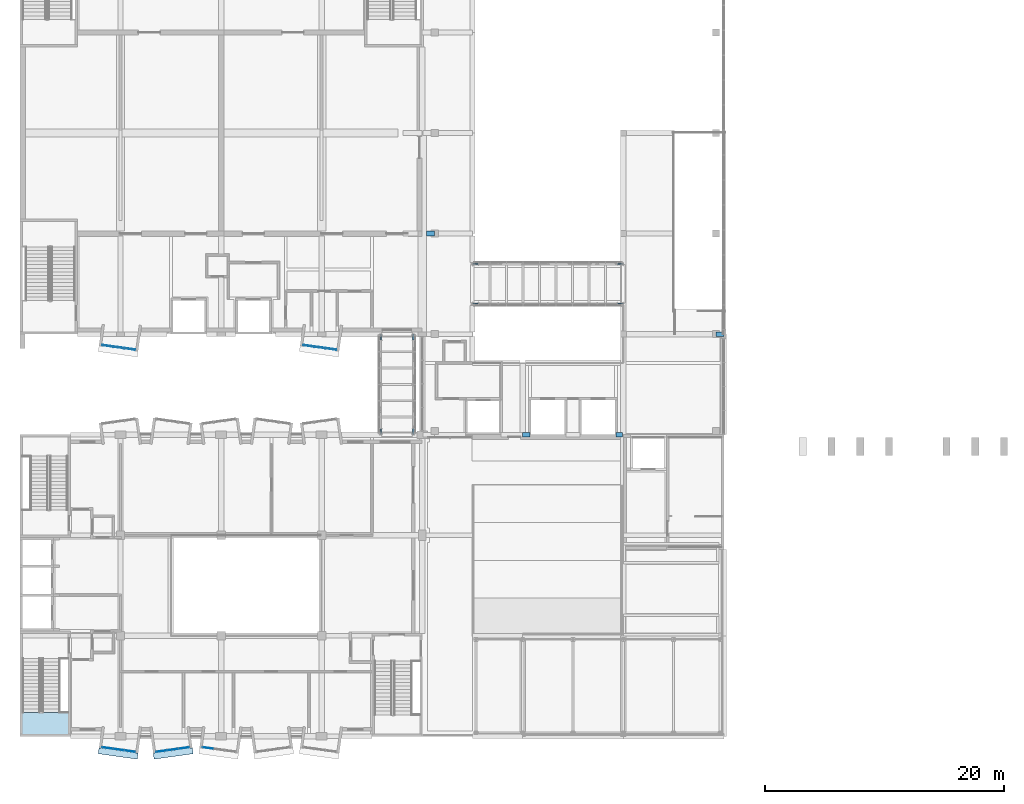
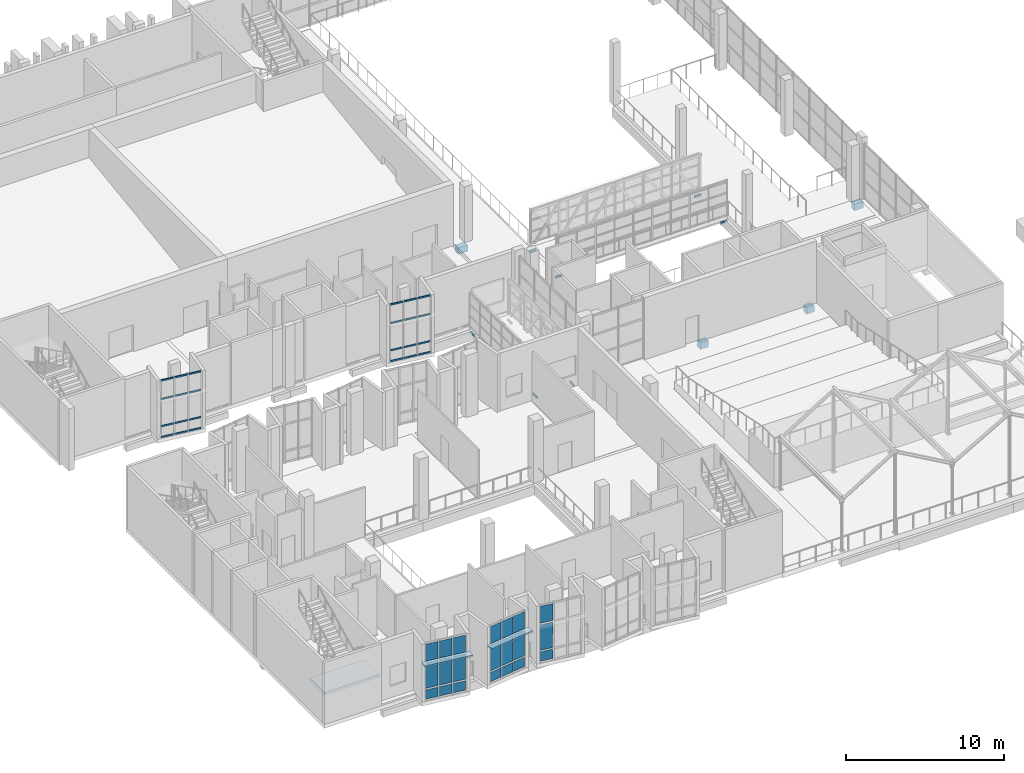
# One storey, part 29 of 67: 24 members, 23 plates, 12 beams, 1 slab, 6 elements without a shape of their own.
"""IFC4 building model written with IfcOpenShell, lengths in metres."""

from ifc_helpers import new_model, si_unit, direction, frame, origin, origin_2d, place, context, subcontext, project, spatial, polyline, rectangle, hollow_rectangle, outline, extrude, material, layer, layer_set, material_profile, profile_set, type_object, element, aggregate, save


model = new_model("IFC4")

# Units and contexts
model_context = context("Model", 3, precision=1e-05, world=origin(), true_north=direction((0.0, 1.0)))
body_context = subcontext(model_context, "Body", "Model", "MODEL_VIEW")
ifc_project = project(units=[si_unit("LENGTHUNIT", "METRE"), si_unit("AREAUNIT", "SQUARE_METRE"), si_unit("VOLUMEUNIT", "CUBIC_METRE"), si_unit("PLANEANGLEUNIT", "RADIAN"), si_unit("MASSUNIT", "GRAM", prefix="KILO")], contexts=[model_context])

# Site, building, storey
site_placement = place(None, origin())
site = spatial("IfcSite", under=ifc_project, at=site_placement, CompositionType="ELEMENT")
building_placement = place(site_placement, origin())
building = spatial("IfcBuilding", under=site, at=building_placement, Name="Kiln Court Media Centre", CompositionType="ELEMENT")
storey_placement = place(building_placement, frame((0.0, 0.0, 19.800048828125)))
storey = spatial("IfcBuildingStorey", under=building, at=storey_placement, Name="L04", CompositionType="ELEMENT", Elevation=19.800048828125)

# Curtain wall, members
ifc_material_1 = material(Name="Aluminium 6063-T6", Category="aluminium")
ifc_layer_1 = layer(ifc_material_1, 0.1201171875)
ifc_layer_set_1 = layer_set([ifc_layer_1], Name="Aluminium unitised bay curtain wall")
curtain_wall_type = type_object("IfcCurtainWallType", Name="Aluminium unitised bay curtain wall", PredefinedType="USERDEFINED", material=ifc_layer_set_1)
curtain_wall_1_placement = place(storey_placement, origin())
curtain_wall_1 = element("IfcCurtainWall", 1, at=curtain_wall_1_placement, inside=storey, type_object=curtain_wall_type, Name="BAY V4-S-L04-24 front", ObjectType="UNITISED CURTAIN WALL", PredefinedType="USERDEFINED")
ifc_material_2 = material(Name="Aluminium 6063-T6", Category="aluminium")
ifc_material_profile_1 = material_profile(ifc_material_2, rectangle(XDim=0.06005859375, YDim=0.1201171875, at=origin_2d()), Name="Aluminium transom 60x120")
ifc_profile_set_1 = profile_set([ifc_material_profile_1], Name="Aluminium 6063-T6")
member_type = type_object("IfcMemberType", Name="Aluminium transom 60x120", PredefinedType="USERDEFINED", material=ifc_profile_set_1)
member_1_placement = place(storey_placement, frame((6.882568359375, 32.68212890625, 0.06005859375), z_axis=(0.990268108888, -0.139172815303, 0.0), x_axis=(0.139172815303, 0.990268108888, 0.0)))
member_1 = element("IfcMember", 2, at=member_1_placement, type_object=member_type, Name="CW4-01 transom 1.1", ObjectType="TRANSOM", PredefinedType="USERDEFINED", context=body_context, shape_type="SweptSolid", body=[
    extrude(rectangle(XDim=0.06005859375, YDim=0.1201171875, at=origin_2d()), origin(), (0.0, 0.0, 1.0), 0.86669921875),
])
member_2_placement = place(storey_placement, frame((6.882568359375, 32.68212890625, 0.89990234375), z_axis=(0.990268108888, -0.139172815303, 0.0), x_axis=(0.139172815303, 0.990268108888, 0.0)))
member_2 = element("IfcMember", 3, at=member_2_placement, type_object=member_type, Name="CW4-01 transom 1.2", ObjectType="TRANSOM", PredefinedType="USERDEFINED", context=body_context, shape_type="SweptSolid", body=[
    extrude(rectangle(XDim=0.06005859375, YDim=0.1201171875, at=origin_2d()), origin(), (0.0, 0.0, 1.0), 0.86669921875),
])
member_3_placement = place(storey_placement, frame((6.882568359375, 32.68212890625, 3.0), z_axis=(0.990268108888, -0.139172815303, 0.0), x_axis=(0.139172815303, 0.990268108888, 0.0)))
member_3 = element("IfcMember", 4, at=member_3_placement, type_object=member_type, Name="CW4-01 transom 1.3", ObjectType="TRANSOM", PredefinedType="USERDEFINED", context=body_context, shape_type="SweptSolid", body=[
    extrude(rectangle(XDim=0.06005859375, YDim=0.1201171875, at=origin_2d()), origin(), (0.0, 0.0, 1.0), 0.86669921875),
])
member_4_placement = place(storey_placement, frame((6.882568359375, 32.68212890625, 4.43994140625), z_axis=(0.990268108888, -0.139172815303, 0.0), x_axis=(0.139172815303, 0.990268108888, 0.0)))
member_4 = element("IfcMember", 5, at=member_4_placement, type_object=member_type, Name="CW4-01 transom 1.4", ObjectType="TRANSOM", PredefinedType="USERDEFINED", context=body_context, shape_type="SweptSolid", body=[
    extrude(rectangle(XDim=0.06005859375, YDim=0.1201171875, at=origin_2d()), origin(), (0.0, 0.0, 1.0), 0.86669921875),
])
member_5_placement = place(storey_placement, frame((7.80029296875, 32.55322265625, 0.06005859375), z_axis=(0.990273584723, -0.13913384707, 0.0), x_axis=(0.13913384707, 0.990273584723, 0.0)))
member_5 = element("IfcMember", 6, at=member_5_placement, type_object=member_type, Name="CW4-01 transom 2.1", ObjectType="TRANSOM", PredefinedType="USERDEFINED", context=body_context, shape_type="SweptSolid", body=[
    extrude(rectangle(XDim=0.06005859375, YDim=0.1201171875, at=origin_2d()), origin(), (0.0, 0.0, 1.0), 0.896728515625),
])
member_6_placement = place(storey_placement, frame((7.80029296875, 32.55322265625, 0.89990234375), z_axis=(0.990273584723, -0.13913384707, 0.0), x_axis=(0.13913384707, 0.990273584723, 0.0)))
member_6 = element("IfcMember", 7, at=member_6_placement, type_object=member_type, Name="CW4-01 transom 2.2", ObjectType="TRANSOM", PredefinedType="USERDEFINED", context=body_context, shape_type="SweptSolid", body=[
    extrude(rectangle(XDim=0.06005859375, YDim=0.1201171875, at=origin_2d()), origin(), (0.0, 0.0, 1.0), 0.896728515625),
])
member_7_placement = place(storey_placement, frame((7.80029296875, 32.55322265625, 3.0), z_axis=(0.990273584723, -0.13913384707, 0.0), x_axis=(0.13913384707, 0.990273584723, 0.0)))
member_7 = element("IfcMember", 8, at=member_7_placement, type_object=member_type, Name="CW4-01 transom 2.3", ObjectType="TRANSOM", PredefinedType="USERDEFINED", context=body_context, shape_type="SweptSolid", body=[
    extrude(rectangle(XDim=0.06005859375, YDim=0.1201171875, at=origin_2d()), origin(), (0.0, 0.0, 1.0), 0.896728515625),
])
member_8_placement = place(storey_placement, frame((7.80029296875, 32.55322265625, 4.43994140625), z_axis=(0.990273584723, -0.13913384707, 0.0), x_axis=(0.13913384707, 0.990273584723, 0.0)))
member_8 = element("IfcMember", 9, at=member_8_placement, type_object=member_type, Name="CW4-01 transom 2.4", ObjectType="TRANSOM", PredefinedType="USERDEFINED", context=body_context, shape_type="SweptSolid", body=[
    extrude(rectangle(XDim=0.06005859375, YDim=0.1201171875, at=origin_2d()), origin(), (0.0, 0.0, 1.0), 0.896728515625),
])
member_9_placement = place(storey_placement, frame((8.74755859375, 32.420166015625, 0.06005859375), z_axis=(0.990268108888, -0.139172815303, 0.0), x_axis=(0.139172815303, 0.990268108888, 0.0)))
member_9 = element("IfcMember", 10, at=member_9_placement, type_object=member_type, Name="CW4-01 transom 3.1", ObjectType="TRANSOM", PredefinedType="USERDEFINED", context=body_context, shape_type="SweptSolid", body=[
    extrude(rectangle(XDim=0.06005859375, YDim=0.1201171875, at=origin_2d()), origin(), (0.0, 0.0, 1.0), 0.86669921875),
])
member_10_placement = place(storey_placement, frame((8.74755859375, 32.420166015625, 0.89990234375), z_axis=(0.990268108888, -0.139172815303, 0.0), x_axis=(0.139172815303, 0.990268108888, 0.0)))
member_10 = element("IfcMember", 11, at=member_10_placement, type_object=member_type, Name="CW4-01 transom 3.2", ObjectType="TRANSOM", PredefinedType="USERDEFINED", context=body_context, shape_type="SweptSolid", body=[
    extrude(rectangle(XDim=0.06005859375, YDim=0.1201171875, at=origin_2d()), origin(), (0.0, 0.0, 1.0), 0.86669921875),
])
member_11_placement = place(storey_placement, frame((8.74755859375, 32.420166015625, 3.0), z_axis=(0.990268108888, -0.139172815303, 0.0), x_axis=(0.139172815303, 0.990268108888, 0.0)))
member_11 = element("IfcMember", 12, at=member_11_placement, type_object=member_type, Name="CW4-01 transom 3.3", ObjectType="TRANSOM", PredefinedType="USERDEFINED", context=body_context, shape_type="SweptSolid", body=[
    extrude(rectangle(XDim=0.06005859375, YDim=0.1201171875, at=origin_2d()), origin(), (0.0, 0.0, 1.0), 0.86669921875),
])
member_12_placement = place(storey_placement, frame((8.74755859375, 32.420166015625, 4.43994140625), z_axis=(0.990268108888, -0.139172815303, 0.0), x_axis=(0.139172815303, 0.990268108888, 0.0)))
member_12 = element("IfcMember", 13, at=member_12_placement, type_object=member_type, Name="CW4-01 transom 3.4", ObjectType="TRANSOM", PredefinedType="USERDEFINED", context=body_context, shape_type="SweptSolid", body=[
    extrude(rectangle(XDim=0.06005859375, YDim=0.1201171875, at=origin_2d()), origin(), (0.0, 0.0, 1.0), 0.86669921875),
])
aggregate(curtain_wall_1, [member_1, member_2, member_3, member_4, member_5, member_6, member_7, member_8, member_9, member_10, member_11, member_12])

curtain_wall_2_placement = place(storey_placement, origin())
curtain_wall_2 = element("IfcCurtainWall", 14, at=curtain_wall_2_placement, inside=storey, type_object=curtain_wall_type, Name="BAY V4-S-L04-28 front", ObjectType="UNITISED CURTAIN WALL", PredefinedType="USERDEFINED")
member_13_placement = place(storey_placement, frame((23.6826171875, 32.68212890625, 0.06005859375), z_axis=(0.990268108888, -0.139172815303, 0.0), x_axis=(0.139172815303, 0.990268108888, 0.0)))
member_13 = element("IfcMember", 15, at=member_13_placement, type_object=member_type, Name="CW4-02 transom 1.1", ObjectType="TRANSOM", PredefinedType="USERDEFINED", context=body_context, shape_type="SweptSolid", body=[
    extrude(rectangle(XDim=0.06005859375, YDim=0.1201171875, at=origin_2d()), origin(), (0.0, 0.0, 1.0), 0.86669921875),
])
member_14_placement = place(storey_placement, frame((23.6826171875, 32.68212890625, 0.89990234375), z_axis=(0.990268108888, -0.139172815303, 0.0), x_axis=(0.139172815303, 0.990268108888, 0.0)))
member_14 = element("IfcMember", 16, at=member_14_placement, type_object=member_type, Name="CW4-02 transom 1.2", ObjectType="TRANSOM", PredefinedType="USERDEFINED", context=body_context, shape_type="SweptSolid", body=[
    extrude(rectangle(XDim=0.06005859375, YDim=0.1201171875, at=origin_2d()), origin(), (0.0, 0.0, 1.0), 0.86669921875),
])
member_15_placement = place(storey_placement, frame((23.6826171875, 32.68212890625, 3.0), z_axis=(0.990268108888, -0.139172815303, 0.0), x_axis=(0.139172815303, 0.990268108888, 0.0)))
member_15 = element("IfcMember", 17, at=member_15_placement, type_object=member_type, Name="CW4-02 transom 1.3", ObjectType="TRANSOM", PredefinedType="USERDEFINED", context=body_context, shape_type="SweptSolid", body=[
    extrude(rectangle(XDim=0.06005859375, YDim=0.1201171875, at=origin_2d()), origin(), (0.0, 0.0, 1.0), 0.86669921875),
])
member_16_placement = place(storey_placement, frame((23.6826171875, 32.68212890625, 4.43994140625), z_axis=(0.990268108888, -0.139172815303, 0.0), x_axis=(0.139172815303, 0.990268108888, 0.0)))
member_16 = element("IfcMember", 18, at=member_16_placement, type_object=member_type, Name="CW4-02 transom 1.4", ObjectType="TRANSOM", PredefinedType="USERDEFINED", context=body_context, shape_type="SweptSolid", body=[
    extrude(rectangle(XDim=0.06005859375, YDim=0.1201171875, at=origin_2d()), origin(), (0.0, 0.0, 1.0), 0.86669921875),
])
member_17_placement = place(storey_placement, frame((24.60009765625, 32.55322265625, 0.06005859375), z_axis=(0.990273584723, -0.13913384707, 0.0), x_axis=(0.13913384707, 0.990273584723, 0.0)))
member_17 = element("IfcMember", 19, at=member_17_placement, type_object=member_type, Name="CW4-02 transom 2.1", ObjectType="TRANSOM", PredefinedType="USERDEFINED", context=body_context, shape_type="SweptSolid", body=[
    extrude(rectangle(XDim=0.06005859375, YDim=0.1201171875, at=origin_2d()), origin(), (0.0, 0.0, 1.0), 0.896728515625),
])
member_18_placement = place(storey_placement, frame((24.60009765625, 32.55322265625, 0.89990234375), z_axis=(0.990273584723, -0.13913384707, 0.0), x_axis=(0.13913384707, 0.990273584723, 0.0)))
member_18 = element("IfcMember", 20, at=member_18_placement, type_object=member_type, Name="CW4-02 transom 2.2", ObjectType="TRANSOM", PredefinedType="USERDEFINED", context=body_context, shape_type="SweptSolid", body=[
    extrude(rectangle(XDim=0.06005859375, YDim=0.1201171875, at=origin_2d()), origin(), (0.0, 0.0, 1.0), 0.896728515625),
])
member_19_placement = place(storey_placement, frame((24.60009765625, 32.55322265625, 3.0), z_axis=(0.990273584723, -0.13913384707, 0.0), x_axis=(0.13913384707, 0.990273584723, 0.0)))
member_19 = element("IfcMember", 21, at=member_19_placement, type_object=member_type, Name="CW4-02 transom 2.3", ObjectType="TRANSOM", PredefinedType="USERDEFINED", context=body_context, shape_type="SweptSolid", body=[
    extrude(rectangle(XDim=0.06005859375, YDim=0.1201171875, at=origin_2d()), origin(), (0.0, 0.0, 1.0), 0.896728515625),
])
member_20_placement = place(storey_placement, frame((24.60009765625, 32.55322265625, 4.43994140625), z_axis=(0.990273584723, -0.13913384707, 0.0), x_axis=(0.13913384707, 0.990273584723, 0.0)))
member_20 = element("IfcMember", 22, at=member_20_placement, type_object=member_type, Name="CW4-02 transom 2.4", ObjectType="TRANSOM", PredefinedType="USERDEFINED", context=body_context, shape_type="SweptSolid", body=[
    extrude(rectangle(XDim=0.06005859375, YDim=0.1201171875, at=origin_2d()), origin(), (0.0, 0.0, 1.0), 0.896728515625),
])
member_21_placement = place(storey_placement, frame((25.547607421875, 32.420166015625, 0.06005859375), z_axis=(0.990268108888, -0.139172815303, 0.0), x_axis=(0.139172815303, 0.990268108888, 0.0)))
member_21 = element("IfcMember", 23, at=member_21_placement, type_object=member_type, Name="CW4-02 transom 3.1", ObjectType="TRANSOM", PredefinedType="USERDEFINED", context=body_context, shape_type="SweptSolid", body=[
    extrude(rectangle(XDim=0.06005859375, YDim=0.1201171875, at=origin_2d()), origin(), (0.0, 0.0, 1.0), 0.86669921875),
])
member_22_placement = place(storey_placement, frame((25.547607421875, 32.420166015625, 0.89990234375), z_axis=(0.990268108888, -0.139172815303, 0.0), x_axis=(0.139172815303, 0.990268108888, 0.0)))
member_22 = element("IfcMember", 24, at=member_22_placement, type_object=member_type, Name="CW4-02 transom 3.2", ObjectType="TRANSOM", PredefinedType="USERDEFINED", context=body_context, shape_type="SweptSolid", body=[
    extrude(rectangle(XDim=0.06005859375, YDim=0.1201171875, at=origin_2d()), origin(), (0.0, 0.0, 1.0), 0.86669921875),
])
member_23_placement = place(storey_placement, frame((25.547607421875, 32.420166015625, 3.0), z_axis=(0.990268108888, -0.139172815303, 0.0), x_axis=(0.139172815303, 0.990268108888, 0.0)))
member_23 = element("IfcMember", 25, at=member_23_placement, type_object=member_type, Name="CW4-02 transom 3.3", ObjectType="TRANSOM", PredefinedType="USERDEFINED", context=body_context, shape_type="SweptSolid", body=[
    extrude(rectangle(XDim=0.06005859375, YDim=0.1201171875, at=origin_2d()), origin(), (0.0, 0.0, 1.0), 0.86669921875),
])
member_24_placement = place(storey_placement, frame((25.547607421875, 32.420166015625, 4.43994140625), z_axis=(0.990268108888, -0.139172815303, 0.0), x_axis=(0.139172815303, 0.990268108888, 0.0)))
member_24 = element("IfcMember", 26, at=member_24_placement, type_object=member_type, Name="CW4-02 transom 3.4", ObjectType="TRANSOM", PredefinedType="USERDEFINED", context=body_context, shape_type="SweptSolid", body=[
    extrude(rectangle(XDim=0.06005859375, YDim=0.1201171875, at=origin_2d()), origin(), (0.0, 0.0, 1.0), 0.86669921875),
])
aggregate(curtain_wall_2, [member_13, member_14, member_15, member_16, member_17, member_18, member_19, member_20, member_21, member_22, member_23, member_24])

# Beams
ifc_material_3 = material(Name="Concrete C30/37", Category="concrete")
ifc_material_profile_2 = material_profile(ifc_material_3, rectangle(XDim=0.39990234375, YDim=0.5, at=origin_2d()), Name="RC 400x500")
ifc_profile_set_2 = profile_set([ifc_material_profile_2], Name="Concrete C30/37")
beam_type_1 = type_object("IfcBeamType", Name="Concrete C30/37 beam 400x500", PredefinedType="BEAM", material=ifc_profile_set_2)
beam_1_placement = place(storey_placement, frame((42.0, 25.199951171875, -0.550048828125), z_axis=(1.0, 0.0, 0.0), x_axis=(0.0, 1.0, 0.0)))
element("IfcBeam", 27, at=beam_1_placement, inside=storey, type_object=beam_type_1, Name="L04-B-1091", PredefinedType="BEAM", context=body_context, shape_type="SweptSolid", body=[
    extrude(rectangle(XDim=0.39990234375, YDim=0.5, at=origin_2d()), origin(), (0.0, 0.0, 1.0), 0.60107421875),
])
beam_2_placement = place(storey_placement, frame((49.799072265625, 25.199951171875, -0.550048828125), z_axis=(1.0, 0.0, 0.0), x_axis=(0.0, 1.0, 0.0)))
element("IfcBeam", 28, at=beam_2_placement, inside=storey, type_object=beam_type_1, Name="L04-B-1093", PredefinedType="BEAM", context=body_context, shape_type="SweptSolid", body=[
    extrude(rectangle(XDim=0.39990234375, YDim=0.5, at=origin_2d()), origin(), (0.0, 0.0, 1.0), 0.551025390625),
])
beam_3_placement = place(storey_placement, frame((58.14990234375, 33.60009765625, -0.550048828125), z_axis=(1.0, 0.0, 0.0), x_axis=(0.0, 1.0, 0.0)))
element("IfcBeam", 29, at=beam_3_placement, inside=storey, type_object=beam_type_1, Name="L04-B-1097", PredefinedType="BEAM", context=body_context, shape_type="SweptSolid", body=[
    extrude(rectangle(XDim=0.39990234375, YDim=0.5, at=origin_2d()), origin(), (0.0, 0.0, 1.0), 0.650146484375),
])
beam_4_placement = place(storey_placement, frame((33.949951171875, 42.0, -0.550048828125), z_axis=(1.0, 0.0, 0.0), x_axis=(0.0, 1.0, 0.0)))
element("IfcBeam", 30, at=beam_4_placement, inside=storey, type_object=beam_type_1, Name="L04-B-1098", PredefinedType="BEAM", context=body_context, shape_type="SweptSolid", body=[
    extrude(rectangle(XDim=0.39990234375, YDim=0.5, at=origin_2d()), origin(), (0.0, 0.0, 1.0), 0.699951171875),
])
ifc_material_4 = material(Name="Steel ASTM A500 Gr C", Category="steel")
ifc_material_profile_3 = material_profile(ifc_material_4, hollow_rectangle(XDim=0.10009765625, YDim=0.14990234375, WallThickness=0.008056640625, at=origin_2d()), Name="RHS 150x100x8.0")
ifc_profile_set_3 = profile_set([ifc_material_profile_3], Name="Steel ASTM A500 Gr C")
beam_type_2 = type_object("IfcBeamType", Name="Steel ASTM A500 Gr C RHS 150x100x8.0 bridge bearing seat beam", PredefinedType="BEAM", material=ifc_profile_set_3)
for number, where, z_axis, x_axis, name in (
    (31, (30.14990234375, 25.196044921875, -0.4951171875), (0.0, 1.0, 0.0), (-1.0, 0.0, 0.0), "bridge BR-2 side truss 1 end 1 bridge bearing seat beam"),
    (32, (30.14990234375, 33.60400390625, -0.4951171875), (0.0, -1.0, 0.0), (1.0, 0.0, 0.0), "bridge BR-2 side truss 1 end 2 bridge bearing seat beam"),
    (33, (32.85009765625, 25.196044921875, -0.4951171875), (0.0, 1.0, 0.0), (-1.0, 0.0, 0.0), "bridge BR-2 side truss 2 end 1 bridge bearing seat beam"),
    (34, (32.85009765625, 33.60400390625, -0.4951171875), (0.0, -1.0, 0.0), (1.0, 0.0, 0.0), "bridge BR-2 side truss 2 end 2 bridge bearing seat beam"),
):
    element("IfcBeam", number, at=place(storey_placement, frame(where, z_axis=z_axis, x_axis=x_axis)), inside=storey, type_object=beam_type_2, Name=name, PredefinedType="BEAM", context=body_context, shape_type="SweptSolid", body=[
        extrude(hollow_rectangle(XDim=0.10009765625, YDim=0.14990234375, WallThickness=0.008056640625, at=origin_2d()), origin(), (0.0, 0.0, 1.0), 0.50390625),
    ])
for number, where, z_axis, x_axis, name in (
    (35, (37.7958984375, 36.14990234375, -0.4951171875), (1.0, 0.0, 0.0), (0.0, 1.0, 0.0), "bridge BR-L04-FOY-11 side truss 1 end 1 bridge bearing seat beam"),
    (36, (50.404052734375, 36.14990234375, -0.4951171875), (-1.0, 0.0, 0.0), (0.0, -1.0, 0.0), "bridge BR-L04-FOY-11 side truss 1 end 2 bridge bearing seat beam"),
    (37, (37.7958984375, 39.449951171875, -0.4951171875), (1.0, 0.0, 0.0), (0.0, 1.0, 0.0), "bridge BR-L04-FOY-11 side truss 2 end 1 bridge bearing seat beam"),
    (38, (50.404052734375, 39.449951171875, -0.4951171875), (-1.0, 0.0, 0.0), (0.0, -1.0, 0.0), "bridge BR-L04-FOY-11 side truss 2 end 2 bridge bearing seat beam"),
):
    element("IfcBeam", number, at=place(storey_placement, frame(where, z_axis=z_axis, x_axis=x_axis)), inside=storey, type_object=beam_type_2, Name=name, PredefinedType="BEAM", context=body_context, shape_type="SweptSolid", body=[
        extrude(hollow_rectangle(XDim=0.10009765625, YDim=0.14990234375, WallThickness=0.008056640625, at=origin_2d()), origin(), (0.0, 0.0, 1.0), 0.504150390625),
    ])

# Plates
ifc_material_5 = material(Name="Concrete C30/37", Category="concrete")
ifc_layer_2 = layer(ifc_material_5, 0.1201171875)
ifc_layer_set_2 = layer_set([ifc_layer_2], Name="Concrete C30/37 sunshade hood 120")
plate_type_1 = type_object("IfcPlateType", Name="Concrete C30/37 sunshade hood 120", PredefinedType="USERDEFINED", material=ifc_layer_set_2)
plate_1_placement = place(storey_placement, frame((0.0, 0.0, 3.0)))
element("IfcPlate", 39, at=plate_1_placement, inside=storey, type_object=plate_type_1, Name="SUNSHADE V6A-S-L04-25", ObjectType="SUNSHADE", PredefinedType="USERDEFINED", context=body_context, shape_type="SweptSolid", body=[
    extrude(outline(polyline([(6.59912109375, -0.958740234375), (9.866943359375, -1.41796875), (9.79736328125, -1.9130859375), (6.529541015625, -1.453857421875), (6.59912109375, -0.958740234375)])), origin(), (0.0, 0.0, 1.0), 0.119873046875),
])
plate_2_placement = place(storey_placement, frame((0.0, 0.0, 3.0)))
element("IfcPlate", 40, at=plate_2_placement, inside=storey, type_object=plate_type_1, Name="SUNSHADE V6A-S-L04-26", ObjectType="SUNSHADE", PredefinedType="USERDEFINED", context=body_context, shape_type="SweptSolid", body=[
    extrude(outline(polyline([(11.133056640625, -1.41796875), (14.40087890625, -0.958740234375), (14.470458984375, -1.453857421875), (11.20263671875, -1.9130859375), (11.133056640625, -1.41796875)])), origin(), (0.0, 0.0, 1.0), 0.119873046875),
])

# Stair, slab
ifc_material_6 = material(Name="Concrete C40/50", Category="concrete")
stair_type = type_object("IfcStairType", Name="Concrete C40/50 dog-leg stair 1500 wide, 150 riser", PredefinedType="HALF_TURN_STAIR", material=ifc_material_6)
stair_placement = place(storey_placement, origin())
stair = element("IfcStair", 41, at=stair_placement, inside=storey, type_object=stair_type, Name="ST-01 L04", PredefinedType="HALF_TURN_STAIR")
ifc_material_7 = material(Name="Concrete C40/50", Category="concrete")
ifc_layer_3 = layer(ifc_material_7, 0.199951171875)
ifc_layer_set_3 = layer_set([ifc_layer_3], Name="Concrete C40/50 stair landing 200")
slab_type = type_object("IfcSlabType", Name="Concrete C40/50 stair landing 200", PredefinedType="LANDING", material=ifc_layer_set_3)
slab_placement = place(storey_placement, frame((0.0, 0.0, 2.199951171875)))
slab = element("IfcSlab", 42, at=slab_placement, type_object=slab_type, Name="L04-ST-5000 landing 5000", PredefinedType="LANDING", context=body_context, shape_type="SweptSolid", body=[
    extrude(outline(polyline([(0.080078125, 2.0), (0.080078125, 0.080078125), (4.1201171875, 0.080078125), (4.1201171875, 2.0), (0.080078125, 2.0)])), origin(), (0.0, 0.0, 1.0), 0.199951171875),
])
aggregate(stair, [slab])

# Curtain wall, plates
curtain_wall_3_placement = place(storey_placement, origin())
curtain_wall_3 = element("IfcCurtainWall", 43, at=curtain_wall_3_placement, inside=storey, type_object=curtain_wall_type, Name="BAY V6A-S-L04-25 front", ObjectType="UNITISED CURTAIN WALL", PredefinedType="USERDEFINED")
ifc_material_8 = material(Name="Aluminium insulated spandrel", Category="aluminium")
ifc_layer_4 = layer(ifc_material_8, 0.028076171875)
ifc_layer_set_4 = layer_set([ifc_layer_4], Name="Insulated spandrel panel 28")
plate_type_2 = type_object("IfcPlateType", Name="Insulated spandrel panel 28", PredefinedType="CURTAIN_PANEL", material=ifc_layer_set_4)
plate_3_placement = place(storey_placement, frame((7.3115234375, -0.97802734375, 0.1201171875), z_axis=(0.0, 0.0, 1.0), x_axis=(0.990269562409, -0.139162472554, 0.0)))
plate_3 = element("IfcPlate", 44, at=plate_3_placement, type_object=plate_type_2, Name="CW4-08 panel 1.1", PredefinedType="CURTAIN_PANEL", context=body_context, shape_type="SweptSolid", body=[
    extrude(rectangle(XDim=0.86669921875, YDim=0.028076171875, at=origin_2d()), origin(), (0.0, 0.0, 1.0), 0.719970703125),
])
plate_4_placement = place(storey_placement, frame((8.244140625, -1.109130859375, 0.1201171875), z_axis=(0.0, 0.0, 1.0), x_axis=(0.990269562409, -0.139162472554, 0.0)))
plate_4 = element("IfcPlate", 45, at=plate_4_placement, type_object=plate_type_2, Name="CW4-08 panel 2.1", PredefinedType="CURTAIN_PANEL", context=body_context, shape_type="SweptSolid", body=[
    extrude(rectangle(XDim=0.896728515625, YDim=0.028076171875, at=origin_2d()), origin(), (0.0, 0.0, 1.0), 0.719970703125),
])
plate_5_placement = place(storey_placement, frame((9.1767578125, -1.240234375, 0.1201171875), z_axis=(0.0, 0.0, 1.0), x_axis=(0.990269562409, -0.139162472554, 0.0)))
plate_5 = element("IfcPlate", 46, at=plate_5_placement, type_object=plate_type_2, Name="CW4-08 panel 3.1", PredefinedType="CURTAIN_PANEL", context=body_context, shape_type="SweptSolid", body=[
    extrude(rectangle(XDim=0.86669921875, YDim=0.028076171875, at=origin_2d()), origin(), (0.0, 0.0, 1.0), 0.719970703125),
])

curtain_wall_4_placement = place(storey_placement, origin())
curtain_wall_4 = element("IfcCurtainWall", 47, at=curtain_wall_4_placement, inside=storey, type_object=curtain_wall_type, Name="BAY V6A-S-L04-26 front", ObjectType="UNITISED CURTAIN WALL", PredefinedType="USERDEFINED")
plate_6_placement = place(storey_placement, frame((11.8232421875, -1.240234375, 0.1201171875), z_axis=(0.0, 0.0, 1.0), x_axis=(0.990269562409, 0.139162472554, 0.0)))
plate_6 = element("IfcPlate", 48, at=plate_6_placement, type_object=plate_type_2, Name="CW4-09 panel 1.1", PredefinedType="CURTAIN_PANEL", context=body_context, shape_type="SweptSolid", body=[
    extrude(rectangle(XDim=0.86669921875, YDim=0.028076171875, at=origin_2d()), origin(), (0.0, 0.0, 1.0), 0.719970703125),
])
plate_7_placement = place(storey_placement, frame((12.755859375, -1.109130859375, 0.1201171875), z_axis=(0.0, 0.0, 1.0), x_axis=(0.990269562409, 0.139162472554, 0.0)))
plate_7 = element("IfcPlate", 49, at=plate_7_placement, type_object=plate_type_2, Name="CW4-09 panel 2.1", PredefinedType="CURTAIN_PANEL", context=body_context, shape_type="SweptSolid", body=[
    extrude(rectangle(XDim=0.896728515625, YDim=0.028076171875, at=origin_2d()), origin(), (0.0, 0.0, 1.0), 0.719970703125),
])
plate_8_placement = place(storey_placement, frame((13.6884765625, -0.97802734375, 0.1201171875), z_axis=(0.0, 0.0, 1.0), x_axis=(0.990269562409, 0.139162472554, 0.0)))
plate_8 = element("IfcPlate", 50, at=plate_8_placement, type_object=plate_type_2, Name="CW4-09 panel 3.1", PredefinedType="CURTAIN_PANEL", context=body_context, shape_type="SweptSolid", body=[
    extrude(rectangle(XDim=0.86669921875, YDim=0.028076171875, at=origin_2d()), origin(), (0.0, 0.0, 1.0), 0.719970703125),
])

# Curtain wall, plate
curtain_wall_5_placement = place(storey_placement, origin())
curtain_wall_5 = element("IfcCurtainWall", 51, at=curtain_wall_5_placement, inside=storey, type_object=curtain_wall_type, Name="BAY V6A-S-L04-27 front", ObjectType="UNITISED CURTAIN WALL", PredefinedType="USERDEFINED")
plate_9_placement = place(storey_placement, frame((15.711669921875, -0.97802734375, 0.1201171875), z_axis=(0.0, 0.0, 1.0), x_axis=(0.990269562409, -0.139162472554, 0.0)))
plate_9 = element("IfcPlate", 52, at=plate_9_placement, type_object=plate_type_2, Name="CW4-10 panel 1.1", PredefinedType="CURTAIN_PANEL", context=body_context, shape_type="SweptSolid", body=[
    extrude(rectangle(XDim=0.86669921875, YDim=0.028076171875, at=origin_2d()), origin(), (0.0, 0.0, 1.0), 0.719970703125),
])

# Plate
ifc_material_9 = material(Name="Low-E double glazing", Category="glass")
ifc_layer_5 = layer(ifc_material_9, 0.028076171875)
ifc_layer_set_5 = layer_set([ifc_layer_5], Name="Low-E double glazed panel 28")
plate_type_3 = type_object("IfcPlateType", Name="Low-E double glazed panel 28", PredefinedType="CURTAIN_PANEL", material=ifc_layer_set_5)
plate_10_placement = place(storey_placement, frame((7.3115234375, -0.97802734375, 0.9599609375), z_axis=(0.0, 0.0, 1.0), x_axis=(0.990269562409, -0.139162472554, 0.0)))
plate_10 = element("IfcPlate", 53, at=plate_10_placement, type_object=plate_type_3, Name="CW4-08 panel 1.2", PredefinedType="CURTAIN_PANEL", context=body_context, shape_type="SweptSolid", body=[
    extrude(rectangle(XDim=0.86669921875, YDim=0.028076171875, at=origin_2d()), origin(), (0.0, 0.0, 1.0), 1.97998046875),
])

plate_11_placement = place(storey_placement, frame((7.3115234375, -0.97802734375, 3.06005859375), z_axis=(0.0, 0.0, 1.0), x_axis=(0.990269562409, -0.139162472554, 0.0)))
plate_11 = element("IfcPlate", 54, at=plate_11_placement, type_object=plate_type_3, Name="CW4-08 panel 1.3", PredefinedType="CURTAIN_PANEL", context=body_context, shape_type="SweptSolid", body=[
    extrude(rectangle(XDim=0.86669921875, YDim=0.028076171875, at=origin_2d()), origin(), (0.0, 0.0, 1.0), 1.320068359375),
])

plate_12_placement = place(storey_placement, frame((8.244140625, -1.109130859375, 0.9599609375), z_axis=(0.0, 0.0, 1.0), x_axis=(0.990269562409, -0.139162472554, 0.0)))
plate_12 = element("IfcPlate", 55, at=plate_12_placement, type_object=plate_type_3, Name="CW4-08 panel 2.2", PredefinedType="CURTAIN_PANEL", context=body_context, shape_type="SweptSolid", body=[
    extrude(rectangle(XDim=0.896728515625, YDim=0.028076171875, at=origin_2d()), origin(), (0.0, 0.0, 1.0), 1.97998046875),
])

plate_13_placement = place(storey_placement, frame((8.244140625, -1.109130859375, 3.06005859375), z_axis=(0.0, 0.0, 1.0), x_axis=(0.990269562409, -0.139162472554, 0.0)))
plate_13 = element("IfcPlate", 56, at=plate_13_placement, type_object=plate_type_3, Name="CW4-08 panel 2.3", PredefinedType="CURTAIN_PANEL", context=body_context, shape_type="SweptSolid", body=[
    extrude(rectangle(XDim=0.896728515625, YDim=0.028076171875, at=origin_2d()), origin(), (0.0, 0.0, 1.0), 1.320068359375),
])

plate_14_placement = place(storey_placement, frame((9.1767578125, -1.240234375, 0.9599609375), z_axis=(0.0, 0.0, 1.0), x_axis=(0.990269562409, -0.139162472554, 0.0)))
plate_14 = element("IfcPlate", 57, at=plate_14_placement, type_object=plate_type_3, Name="CW4-08 panel 3.2", PredefinedType="CURTAIN_PANEL", context=body_context, shape_type="SweptSolid", body=[
    extrude(rectangle(XDim=0.86669921875, YDim=0.028076171875, at=origin_2d()), origin(), (0.0, 0.0, 1.0), 1.97998046875),
])

plate_15_placement = place(storey_placement, frame((9.1767578125, -1.240234375, 3.06005859375), z_axis=(0.0, 0.0, 1.0), x_axis=(0.990269562409, -0.139162472554, 0.0)))
plate_15 = element("IfcPlate", 58, at=plate_15_placement, type_object=plate_type_3, Name="CW4-08 panel 3.3", PredefinedType="CURTAIN_PANEL", context=body_context, shape_type="SweptSolid", body=[
    extrude(rectangle(XDim=0.86669921875, YDim=0.028076171875, at=origin_2d()), origin(), (0.0, 0.0, 1.0), 1.320068359375),
])

aggregate(curtain_wall_3, [plate_3, plate_10, plate_11, plate_4, plate_12, plate_13, plate_5, plate_14, plate_15])

plate_16_placement = place(storey_placement, frame((11.8232421875, -1.240234375, 0.9599609375), z_axis=(0.0, 0.0, 1.0), x_axis=(0.990269562409, 0.139162472554, 0.0)))
plate_16 = element("IfcPlate", 59, at=plate_16_placement, type_object=plate_type_3, Name="CW4-09 panel 1.2", PredefinedType="CURTAIN_PANEL", context=body_context, shape_type="SweptSolid", body=[
    extrude(rectangle(XDim=0.86669921875, YDim=0.028076171875, at=origin_2d()), origin(), (0.0, 0.0, 1.0), 1.97998046875),
])

plate_17_placement = place(storey_placement, frame((11.8232421875, -1.240234375, 3.06005859375), z_axis=(0.0, 0.0, 1.0), x_axis=(0.990269562409, 0.139162472554, 0.0)))
plate_17 = element("IfcPlate", 60, at=plate_17_placement, type_object=plate_type_3, Name="CW4-09 panel 1.3", PredefinedType="CURTAIN_PANEL", context=body_context, shape_type="SweptSolid", body=[
    extrude(rectangle(XDim=0.86669921875, YDim=0.028076171875, at=origin_2d()), origin(), (0.0, 0.0, 1.0), 1.320068359375),
])

plate_18_placement = place(storey_placement, frame((12.755859375, -1.109130859375, 0.9599609375), z_axis=(0.0, 0.0, 1.0), x_axis=(0.990269562409, 0.139162472554, 0.0)))
plate_18 = element("IfcPlate", 61, at=plate_18_placement, type_object=plate_type_3, Name="CW4-09 panel 2.2", PredefinedType="CURTAIN_PANEL", context=body_context, shape_type="SweptSolid", body=[
    extrude(rectangle(XDim=0.896728515625, YDim=0.028076171875, at=origin_2d()), origin(), (0.0, 0.0, 1.0), 1.97998046875),
])

plate_19_placement = place(storey_placement, frame((12.755859375, -1.109130859375, 3.06005859375), z_axis=(0.0, 0.0, 1.0), x_axis=(0.990269562409, 0.139162472554, 0.0)))
plate_19 = element("IfcPlate", 62, at=plate_19_placement, type_object=plate_type_3, Name="CW4-09 panel 2.3", PredefinedType="CURTAIN_PANEL", context=body_context, shape_type="SweptSolid", body=[
    extrude(rectangle(XDim=0.896728515625, YDim=0.028076171875, at=origin_2d()), origin(), (0.0, 0.0, 1.0), 1.320068359375),
])

plate_20_placement = place(storey_placement, frame((13.6884765625, -0.97802734375, 0.9599609375), z_axis=(0.0, 0.0, 1.0), x_axis=(0.990269562409, 0.139162472554, 0.0)))
plate_20 = element("IfcPlate", 63, at=plate_20_placement, type_object=plate_type_3, Name="CW4-09 panel 3.2", PredefinedType="CURTAIN_PANEL", context=body_context, shape_type="SweptSolid", body=[
    extrude(rectangle(XDim=0.86669921875, YDim=0.028076171875, at=origin_2d()), origin(), (0.0, 0.0, 1.0), 1.97998046875),
])

plate_21_placement = place(storey_placement, frame((13.6884765625, -0.97802734375, 3.06005859375), z_axis=(0.0, 0.0, 1.0), x_axis=(0.990269562409, 0.139162472554, 0.0)))
plate_21 = element("IfcPlate", 64, at=plate_21_placement, type_object=plate_type_3, Name="CW4-09 panel 3.3", PredefinedType="CURTAIN_PANEL", context=body_context, shape_type="SweptSolid", body=[
    extrude(rectangle(XDim=0.86669921875, YDim=0.028076171875, at=origin_2d()), origin(), (0.0, 0.0, 1.0), 1.320068359375),
])

aggregate(curtain_wall_4, [plate_6, plate_16, plate_17, plate_7, plate_18, plate_19, plate_8, plate_20, plate_21])

plate_22_placement = place(storey_placement, frame((15.711669921875, -0.97802734375, 0.9599609375), z_axis=(0.0, 0.0, 1.0), x_axis=(0.990269562409, -0.139162472554, 0.0)))
plate_22 = element("IfcPlate", 65, at=plate_22_placement, type_object=plate_type_3, Name="CW4-10 panel 1.2", PredefinedType="CURTAIN_PANEL", context=body_context, shape_type="SweptSolid", body=[
    extrude(rectangle(XDim=0.86669921875, YDim=0.028076171875, at=origin_2d()), origin(), (0.0, 0.0, 1.0), 1.97998046875),
])

plate_23_placement = place(storey_placement, frame((15.711669921875, -0.97802734375, 3.06005859375), z_axis=(0.0, 0.0, 1.0), x_axis=(0.990269562409, -0.139162472554, 0.0)))
plate_23 = element("IfcPlate", 66, at=plate_23_placement, type_object=plate_type_3, Name="CW4-10 panel 1.3", PredefinedType="CURTAIN_PANEL", context=body_context, shape_type="SweptSolid", body=[
    extrude(rectangle(XDim=0.86669921875, YDim=0.028076171875, at=origin_2d()), origin(), (0.0, 0.0, 1.0), 1.320068359375),
])

aggregate(curtain_wall_5, [plate_9, plate_22, plate_23])

save(model, "model.ifc")
